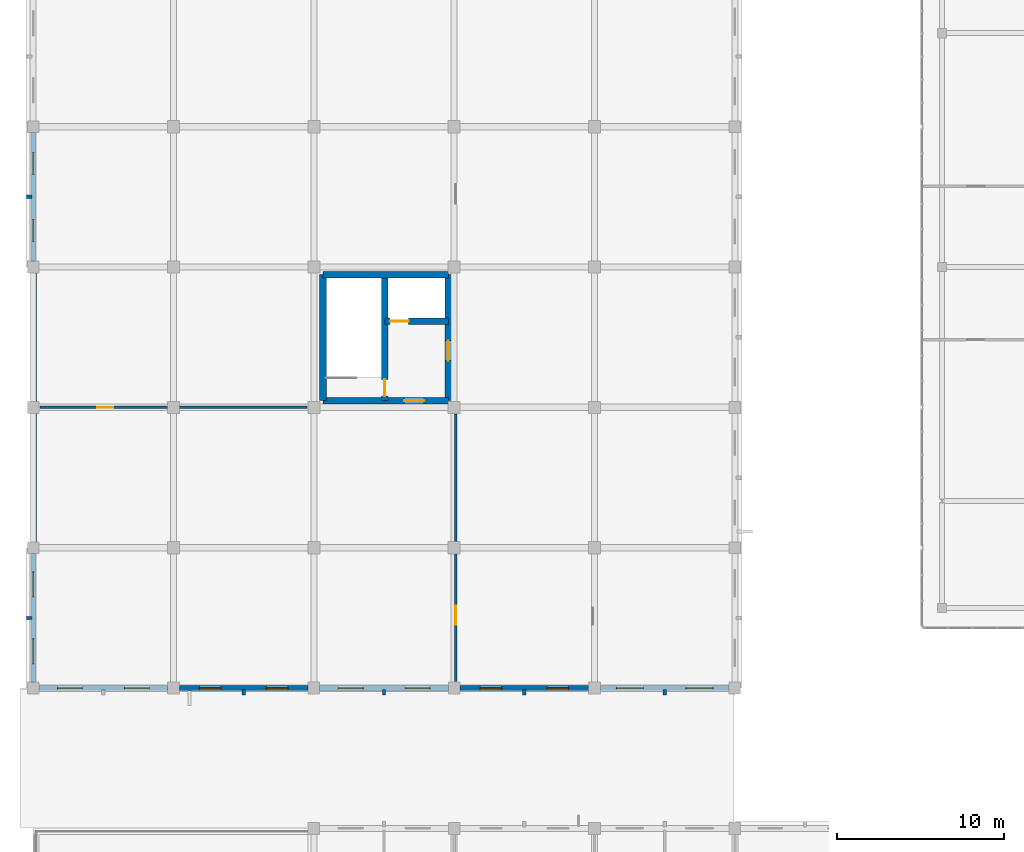
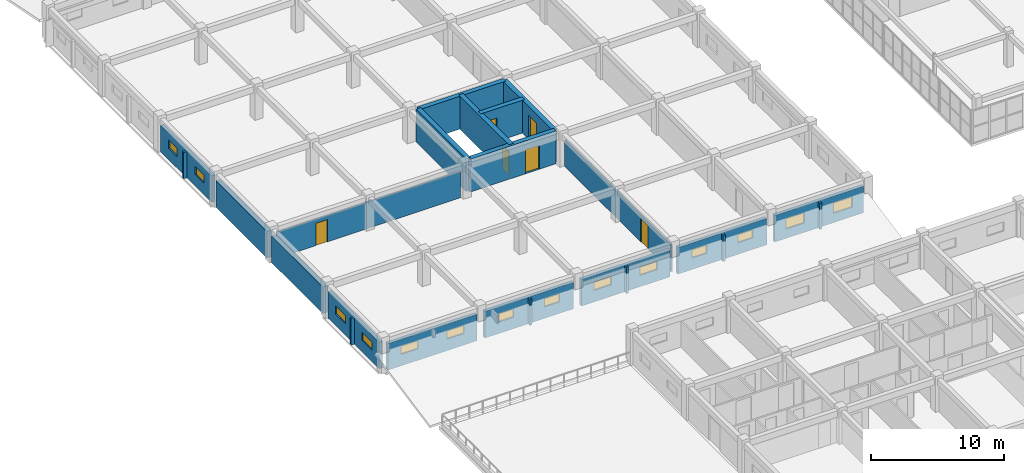
# One storey, part 113 of 148: 23 walls, 14 windows, 6 doors, 20 openings.
"""IFC4 building model written with IfcOpenShell, lengths in metres."""

from ifc_helpers import new_model, si_unit, direction, frame, frame_2d, origin, place, context, subcontext, project, spatial, rectangle, extrude, material, layer, layer_set, type_object, element, fill, save


model = new_model("IFC4")

# Units and contexts
model_context = context("Model", 3, precision=1e-05, world=origin(), true_north=direction((0.0, 1.0)))
body_context = subcontext(model_context, "Body", "Model", "MODEL_VIEW")
ifc_project = project(units=[si_unit("LENGTHUNIT", "METRE"), si_unit("AREAUNIT", "SQUARE_METRE"), si_unit("VOLUMEUNIT", "CUBIC_METRE"), si_unit("PLANEANGLEUNIT", "RADIAN"), si_unit("MASSUNIT", "GRAM", prefix="KILO")], contexts=[model_context])

# Site, building, storey
site_placement = place(None, origin())
site = spatial("IfcSite", under=ifc_project, at=site_placement, CompositionType="ELEMENT")
building_placement = place(site_placement, origin())
building = spatial("IfcBuilding", under=site, at=building_placement, Name="Trelvath General Hospital", CompositionType="ELEMENT")
storey_placement = place(building_placement, frame((0.0, 0.0, 12.89990234375)))
storey = spatial("IfcBuildingStorey", under=building, at=storey_placement, Name="L03", CompositionType="ELEMENT", Elevation=12.89990234375)

# Walls
ifc_material_1 = material(Name="Precast concrete C40/50", Category="concrete")
ifc_layer_1 = layer(ifc_material_1, 0.199951171875)
ifc_layer_set_1 = layer_set([ifc_layer_1], Name="Precast concrete C40/50")
wall_type_1 = type_object("IfcWallType", Name="BriseSoleilRib 200", PredefinedType="ELEMENTEDWALL", material=ifc_layer_set_1)
for number, where, z_axis, x_axis, name in (
    (1, (-0.074951171875, 37.800048828125, 0.0), (0.0, 0.0, 1.0), (-1.0, 0.0, 0.0), "Precast Concrete Brise-Soleil Rib Fin L03-227"),
    (2, (-0.074951171875, 63.0, 0.0), (0.0, 0.0, 1.0), (-1.0, 0.0, 0.0), "Precast Concrete Brise-Soleil Rib Fin L03-228"),
):
    element("IfcWall", number, at=place(storey_placement, frame(where, z_axis=z_axis, x_axis=x_axis)), inside=storey, type_object=wall_type_1, Name=name, PredefinedType="ELEMENTEDWALL", context=body_context, shape_type="SweptSolid", body=[
        extrude(rectangle(XDim=0.340087890625, YDim=0.199951171875, at=frame_2d((0.169921875, 0.0))), origin(), (0.0, 0.0, 1.0), 2.420166015625),
    ])
for number, where, z_axis, x_axis, name in (
    (3, (12.60009765625, 33.52490234375, 0.0), (0.0, 0.0, 1.0), (0.0, -1.0, 0.0), "Precast Concrete Brise-Soleil Rib Fin L03-232"),
    (4, (21.0, 33.52490234375, 0.0), (0.0, 0.0, 1.0), (0.0, -1.0, 0.0), "Precast Concrete Brise-Soleil Rib Fin L03-236"),
    (5, (29.39990234375, 33.52490234375, 0.0), (0.0, 0.0, 1.0), (0.0, -1.0, 0.0), "Precast Concrete Brise-Soleil Rib Fin L03-242"),
    (6, (37.800048828125, 33.52490234375, 0.0), (0.0, 0.0, 1.0), (0.0, -1.0, 0.0), "Precast Concrete Brise-Soleil Rib Fin L03-248"),
):
    element("IfcWall", number, at=place(storey_placement, frame(where, z_axis=z_axis, x_axis=x_axis)), inside=storey, type_object=wall_type_1, Name=name, PredefinedType="ELEMENTEDWALL", context=body_context, shape_type="SweptSolid", body=[
        extrude(rectangle(XDim=0.33984375, YDim=0.199951171875, at=frame_2d((0.169921875, 0.0))), origin(), (0.0, 0.0, 1.0), 2.420166015625),
    ])

# Wall, opening, door
ifc_material_2 = material(Name="Gypsum acoustic steel-stud partition", Category="steel")
ifc_layer_2 = layer(ifc_material_2, 0.14990234375)
ifc_layer_set_2 = layer_set([ifc_layer_2], Name="Gypsum acoustic steel-stud partition")
wall_type_2 = type_object("IfcWallType", Name="ClinicalPartition 150", PredefinedType="PARTITIONING", material=ifc_layer_set_2)
wall_1_placement = place(storey_placement, frame((25.300048828125, 34.0, 0.0), z_axis=(0.0, 0.0, 1.0), x_axis=(0.0, 1.0, 0.0)))
wall_1 = element("IfcWall", 7, at=wall_1_placement, inside=storey, type_object=wall_type_2, Name="HEPA Plant Partition L03-1398", PredefinedType="PARTITIONING", context=body_context, shape_type="SweptSolid", body=[
    extrude(rectangle(XDim=16.0, YDim=0.14990234375, at=frame_2d((8.0, 0.0))), origin(), (0.0, 0.0, 1.0), 2.420166015625),
])
opening_1_placement = place(wall_1_placement, frame((3.39990234375, 0.0, 0.0)))
opening_1 = element("IfcOpeningElement", 8, at=opening_1_placement, cuts=wall_1, Name="Opening D-3-0983", PredefinedType="OPENING", context=body_context, shape_type="SweptSolid", body=[
    extrude(rectangle(XDim=1.1201171875, YDim=2.14990234375, at=frame_2d((0.56005859375, 1.074951171875))), frame((0.0, 0.0849609375, 0.0), z_axis=(0.0, -1.0, 0.0), x_axis=(1.0, 0.0, 0.0)), (0.0, 0.0, 1.0), 0.169921875),
])
ifc_material_3 = material(Name="Acoustic hospital timber leaf", Category="wood")
door_type_1 = type_object("IfcDoorType", Name="Door SoiledUtil 1120x2150", OperationType="NOTDEFINED", PredefinedType="DOOR", material=ifc_material_3)
door_1_placement = place(opening_1_placement, origin())
door_1 = element("IfcDoor", 9, at=door_1_placement, inside=storey, type_object=door_type_1, Name="HEPA Plant Door L03-983", OperationType="SINGLE_SWING_LEFT", OverallHeight=2.14990234375, OverallWidth=1.1201171875, PredefinedType="DOOR", context=body_context, shape_type="SweptSolid", body=[
    extrude(rectangle(XDim=1.1201171875, YDim=2.14990234375, at=frame_2d((0.56005859375, 1.074951171875))), frame((0.0, 0.02490234375, 0.0), z_axis=(0.0, -1.0, 0.0), x_axis=(1.0, 0.0, 0.0)), (0.0, 0.0, 1.0), 0.050048828125),
])
fill(opening_1, door_1)

wall_2_placement = place(storey_placement, frame((0.419921875, 50.39990234375, 0.0), z_axis=(0.0, 0.0, 1.0), x_axis=(1.0, 0.0, 0.0)))
wall_2 = element("IfcWall", 10, at=wall_2_placement, inside=storey, type_object=wall_type_2, Name="Plenum Room Partition L03-1399", PredefinedType="PARTITIONING", context=body_context, shape_type="SweptSolid", body=[
    extrude(rectangle(XDim=15.9599609375, YDim=0.14990234375, at=frame_2d((7.97998046875, 0.0))), origin(), (0.0, 0.0, 1.0), 2.420166015625),
])
opening_2_placement = place(wall_2_placement, frame((3.39990234375, 0.0, 0.0)))
opening_2 = element("IfcOpeningElement", 11, at=opening_2_placement, cuts=wall_2, Name="Opening D-3-0984", PredefinedType="OPENING", context=body_context, shape_type="SweptSolid", body=[
    extrude(rectangle(XDim=0.97998046875, YDim=2.050048828125, at=frame_2d((0.489990234375, 1.02490234375))), frame((0.0, 0.0849609375, 0.0), z_axis=(0.0, -1.0, 0.0), x_axis=(1.0, 0.0, 0.0)), (0.0, 0.0, 1.0), 0.169921875),
])
ifc_material_4 = material(Name="Fire-rated steel service door", Category="steel")
door_type_2 = type_object("IfcDoorType", Name="Door Interstitial 980x2050", OperationType="NOTDEFINED", PredefinedType="DOOR", material=ifc_material_4)
door_2_placement = place(opening_2_placement, origin())
door_2 = element("IfcDoor", 12, at=door_2_placement, inside=storey, type_object=door_type_2, Name="Plenum Room Door L03-984", OperationType="SINGLE_SWING_RIGHT", OverallHeight=2.050048828125, OverallWidth=0.97998046875, PredefinedType="DOOR", context=body_context, shape_type="SweptSolid", body=[
    extrude(rectangle(XDim=0.97998046875, YDim=2.050048828125, at=frame_2d((0.489990234375, 1.02490234375))), frame((0.0, 0.02490234375, 0.0), z_axis=(0.0, -1.0, 0.0), x_axis=(1.0, 0.0, 0.0)), (0.0, 0.0, 1.0), 0.050048828125),
])
fill(opening_2, door_2)

ifc_material_5 = material(Name="Concrete C40/50", Category="concrete")
ifc_layer_3 = layer(ifc_material_5, 0.39990234375)
ifc_layer_set_3 = layer_set([ifc_layer_3], Name="Concrete C40/50")
wall_type_3 = type_object("IfcWallType", Name="CoreShearWall 400", PredefinedType="SHEAR", material=ifc_layer_set_3)
wall_3_placement = place(storey_placement, frame((17.35009765625, 50.800048828125, 0.0), z_axis=(0.0, 0.0, 1.0), x_axis=(1.0, 0.0, 0.0)))
wall_3 = element("IfcWall", 13, at=wall_3_placement, inside=storey, type_object=wall_type_3, Name="Core Shear Wall C8 S L03", PredefinedType="SHEAR", context=body_context, shape_type="SweptSolid", body=[
    extrude(rectangle(XDim=7.5, YDim=0.39990234375, at=frame_2d((3.75, 0.0))), origin(), (0.0, 0.0, 1.0), 3.02001953125),
])
opening_3_placement = place(wall_3_placement, frame((4.85009765625, 0.0, 0.0)))
opening_3 = element("IfcOpeningElement", 14, at=opening_3_placement, cuts=wall_3, Name="Opening FD-LS83", PredefinedType="OPENING", context=body_context, shape_type="SweptSolid", body=[
    extrude(rectangle(XDim=1.199951171875, YDim=2.199951171875, at=frame_2d((0.60009765625, 1.10009765625))), frame((0.0, 0.2099609375, 0.0), z_axis=(0.0, -1.0, 0.0), x_axis=(1.0, 0.0, 0.0)), (0.0, 0.0, 1.0), 0.419921875),
])
ifc_material_6 = material(Name="Fire-rated steel door", Category="steel")
door_type_3 = type_object("IfcDoorType", Name="Door FireLobby 1200x2200", OperationType="NOTDEFINED", PredefinedType="DOOR", material=ifc_material_6)
door_3_placement = place(opening_3_placement, origin())
door_3 = element("IfcDoor", 15, at=door_3_placement, inside=storey, type_object=door_type_3, Name="Fire Lobby South Concourse Door C8 L03", OperationType="SINGLE_SWING_RIGHT", OverallHeight=2.199951171875, OverallWidth=1.199951171875, PredefinedType="DOOR", context=body_context, shape_type="SweptSolid", body=[
    extrude(rectangle(XDim=1.199951171875, YDim=2.199951171875, at=frame_2d((0.60009765625, 1.10009765625))), frame((0.0, 0.02490234375, 0.0), z_axis=(0.0, -1.0, 0.0), x_axis=(1.0, 0.0, 0.0)), (0.0, 0.0, 1.0), 0.050048828125),
])
fill(opening_3, door_3)

# Walls
wall_4_placement = place(storey_placement, frame((17.35009765625, 58.35009765625, 0.0), z_axis=(0.0, 0.0, 1.0), x_axis=(1.0, 0.0, 0.0)))
element("IfcWall", 16, at=wall_4_placement, inside=storey, type_object=wall_type_3, Name="Core Shear Wall C8 N L03", PredefinedType="SHEAR", context=body_context, shape_type="SweptSolid", body=[
    extrude(rectangle(XDim=7.5, YDim=0.39990234375, at=frame_2d((3.75, 0.0))), origin(), (0.0, 0.0, 1.0), 3.02001953125),
])
wall_5_placement = place(storey_placement, frame((17.35009765625, 50.800048828125, 0.0), z_axis=(0.0, 0.0, 1.0), x_axis=(0.0, 1.0, 0.0)))
element("IfcWall", 17, at=wall_5_placement, inside=storey, type_object=wall_type_3, Name="Core Shear Wall C8 W L03", PredefinedType="SHEAR", context=body_context, shape_type="SweptSolid", body=[
    extrude(rectangle(XDim=7.550048828125, YDim=0.39990234375, at=frame_2d((3.77490234375, 0.0))), origin(), (0.0, 0.0, 1.0), 3.02001953125),
])

# Wall, opening, door
wall_6_placement = place(storey_placement, frame((24.85009765625, 50.800048828125, 0.0), z_axis=(0.0, 0.0, 1.0), x_axis=(0.0, 1.0, 0.0)))
wall_6 = element("IfcWall", 18, at=wall_6_placement, inside=storey, type_object=wall_type_3, Name="Core Shear Wall C8 E L03", PredefinedType="SHEAR", context=body_context, shape_type="SweptSolid", body=[
    extrude(rectangle(XDim=7.550048828125, YDim=0.39990234375, at=frame_2d((3.77490234375, 0.0))), origin(), (0.0, 0.0, 1.0), 3.02001953125),
])
opening_4_placement = place(wall_6_placement, frame((2.39990234375, 0.0, 0.0)))
opening_4 = element("IfcOpeningElement", 19, at=opening_4_placement, cuts=wall_6, Name="Opening FD-LE83", PredefinedType="OPENING", context=body_context, shape_type="SweptSolid", body=[
    extrude(rectangle(XDim=1.199951171875, YDim=2.199951171875, at=frame_2d((0.60009765625, 1.10009765625))), frame((0.0, 0.2099609375, 0.0), z_axis=(0.0, -1.0, 0.0), x_axis=(1.0, 0.0, 0.0)), (0.0, 0.0, 1.0), 0.419921875),
])
door_4_placement = place(opening_4_placement, origin())
door_4 = element("IfcDoor", 20, at=door_4_placement, inside=storey, type_object=door_type_3, Name="Fire Lobby East Corridor Door C8 L03", OperationType="SINGLE_SWING_LEFT", OverallHeight=2.199951171875, OverallWidth=1.199951171875, PredefinedType="DOOR", context=body_context, shape_type="SweptSolid", body=[
    extrude(rectangle(XDim=1.199951171875, YDim=2.199951171875, at=frame_2d((0.60009765625, 1.10009765625))), frame((0.0, 0.02490234375, 0.0), z_axis=(0.0, -1.0, 0.0), x_axis=(1.0, 0.0, 0.0)), (0.0, 0.0, 1.0), 0.050048828125),
])
fill(opening_4, door_4)

wall_7_placement = place(storey_placement, frame((21.050048828125, 50.800048828125, 0.0), z_axis=(0.0, 0.0, 1.0), x_axis=(0.0, 1.0, 0.0)))
wall_7 = element("IfcWall", 21, at=wall_7_placement, inside=storey, type_object=wall_type_3, Name="Core Shear Wall C8 SPINE L03", PredefinedType="SHEAR", context=body_context, shape_type="SweptSolid", body=[
    extrude(rectangle(XDim=7.550048828125, YDim=0.39990234375, at=frame_2d((3.77490234375, 0.0))), origin(), (0.0, 0.0, 1.0), 3.02001953125),
])
opening_5_placement = place(wall_7_placement, frame((0.280029296875, 0.0, 0.0)))
opening_5 = element("IfcOpeningElement", 22, at=opening_5_placement, cuts=wall_7, Name="Opening FD-S83", PredefinedType="OPENING", context=body_context, shape_type="SweptSolid", body=[
    extrude(rectangle(XDim=1.0, YDim=2.14990234375, at=frame_2d((0.5, 1.074951171875))), frame((0.0, 0.2099609375, 0.0), z_axis=(0.0, -1.0, 0.0), x_axis=(1.0, 0.0, 0.0)), (0.0, 0.0, 1.0), 0.419921875),
])
ifc_material_7 = material(Name="Fire-rated steel door", Category="steel")
door_type_4 = type_object("IfcDoorType", Name="Door FireStair 1100x2150", OperationType="NOTDEFINED", PredefinedType="DOOR", material=ifc_material_7)
door_5_placement = place(opening_5_placement, origin())
door_5 = element("IfcDoor", 23, at=door_5_placement, inside=storey, type_object=door_type_4, Name="Exit Stair Door ST8 L03", OperationType="SINGLE_SWING_LEFT", OverallHeight=2.14990234375, OverallWidth=1.0, PredefinedType="DOOR", context=body_context, shape_type="SweptSolid", body=[
    extrude(rectangle(XDim=1.0, YDim=2.14990234375, at=frame_2d((0.5, 1.074951171875))), frame((0.0, 0.02490234375, 0.0), z_axis=(0.0, -1.0, 0.0), x_axis=(1.0, 0.0, 0.0)), (0.0, 0.0, 1.0), 0.050048828125),
])
fill(opening_5, door_5)

wall_8_placement = place(storey_placement, frame((21.050048828125, 55.550048828125, 0.0), z_axis=(0.0, 0.0, 1.0), x_axis=(1.0, 0.0, 0.0)))
wall_8 = element("IfcWall", 24, at=wall_8_placement, inside=storey, type_object=wall_type_3, Name="Core Shear Wall C8 SHAFT L03", PredefinedType="SHEAR", context=body_context, shape_type="SweptSolid", body=[
    extrude(rectangle(XDim=3.800048828125, YDim=0.39990234375, at=frame_2d((1.89990234375, 0.0))), origin(), (0.0, 0.0, 1.0), 3.02001953125),
])
opening_6_placement = place(wall_8_placement, frame((0.320068359375, 0.0, 0.0)))
opening_6 = element("IfcOpeningElement", 25, at=opening_6_placement, cuts=wall_8, Name="Opening LD-SL1-3", PredefinedType="OPENING", context=body_context, shape_type="SweptSolid", body=[
    extrude(rectangle(XDim=1.10009765625, YDim=2.14990234375, at=frame_2d((0.550048828125, 1.074951171875))), frame((0.0, 0.2099609375, 0.0), z_axis=(0.0, -1.0, 0.0), x_axis=(1.0, 0.0, 0.0)), (0.0, 0.0, 1.0), 0.419921875),
])
ifc_material_8 = material(Name="Stainless steel lift landing sliding door", Category="steel")
door_type_5 = type_object("IfcDoorType", Name="Door LiftLanding 1100x2150", OperationType="SLIDING_TO_LEFT", PredefinedType="DOOR", material=ifc_material_8)
door_6_placement = place(opening_6_placement, origin())
door_6 = element("IfcDoor", 26, at=door_6_placement, inside=storey, type_object=door_type_5, Name="Lift Landing Sliding Door LF-SL1 L03", OperationType="SLIDING_TO_LEFT", OverallHeight=2.14990234375, OverallWidth=1.10009765625, PredefinedType="DOOR", context=body_context, shape_type="SweptSolid", body=[
    extrude(rectangle(XDim=1.10009765625, YDim=2.14990234375, at=frame_2d((0.550048828125, 1.074951171875))), frame((0.0, 0.02490234375, 0.0), z_axis=(0.0, -1.0, 0.0), x_axis=(1.0, 0.0, 0.0)), (0.0, 0.0, 1.0), 0.050048828125),
])
fill(opening_6, door_6)

# Wall, openings, windows
ifc_material_9 = material(Name="Concrete C35/45", Category="concrete")
ifc_layer_4 = layer(ifc_material_9, 0.2900390625)
ifc_layer_set_4 = layer_set([ifc_layer_4], Name="Concrete C35/45")
wall_type_4 = type_object("IfcWallType", Name="ExtBushHammeredWall 290", PredefinedType="SOLIDWALL", material=ifc_layer_set_4)
wall_9_placement = place(storey_placement, frame((8.054931640625, 33.60009765625, 0.0), z_axis=(0.0, 0.0, 1.0), x_axis=(-1.0, 0.0, 0.0)))
wall_9 = element("IfcWall", 27, at=wall_9_placement, inside=storey, type_object=wall_type_4, Name="Exterior Concrete Wall L03-326", PredefinedType="SOLIDWALL", context=body_context, shape_type="SweptSolid", body=[
    extrude(rectangle(XDim=7.7099609375, YDim=0.2900390625, at=frame_2d((3.85498046875, 0.0))), origin(), (0.0, 0.0, 1.0), 2.440185546875),
])
opening_7_placement = place(wall_9_placement, frame((1.100341796875, 0.0, 1.050048828125)))
opening_7 = element("IfcOpeningElement", 28, at=opening_7_placement, cuts=wall_9, Name="Opening WN-3-529", PredefinedType="OPENING", context=body_context, shape_type="SweptSolid", body=[
    extrude(rectangle(XDim=1.5, YDim=0.75, at=frame_2d((0.75, 0.375))), frame((0.0, 0.155029296875, 0.0), z_axis=(0.0, -1.0, 0.0), x_axis=(1.0, 0.0, 0.0)), (0.0, 0.0, 1.0), 0.31005859375),
])
opening_8_placement = place(wall_9_placement, frame((5.109619140625, 0.0, 1.050048828125)))
opening_8 = element("IfcOpeningElement", 29, at=opening_8_placement, cuts=wall_9, Name="Opening WN-3-530", PredefinedType="OPENING", context=body_context, shape_type="SweptSolid", body=[
    extrude(rectangle(XDim=1.5, YDim=0.75, at=frame_2d((0.75, 0.375))), frame((0.0, 0.155029296875, 0.0), z_axis=(0.0, -1.0, 0.0), x_axis=(1.0, 0.0, 0.0)), (0.0, 0.0, 1.0), 0.31005859375),
])
ifc_material_10 = material(Name="Low-E laminated glass", Category="glass")
window_type_1 = type_object("IfcWindowType", Name="Window InterstitialVent 1500x750", PartitioningType="DOUBLE_PANEL_HORIZONTAL", PredefinedType="WINDOW", material=ifc_material_10)
window_1_placement = place(opening_7_placement, origin())
window_1 = element("IfcWindow", 30, at=window_1_placement, inside=storey, type_object=window_type_1, Name="Solar Reveal Window L03-529", OverallHeight=0.75, OverallWidth=1.5, PartitioningType="SINGLE_PANEL", PredefinedType="WINDOW", context=body_context, shape_type="SweptSolid", body=[
    extrude(rectangle(XDim=1.5, YDim=0.75, at=frame_2d((0.75, 0.375))), frame((0.0, 0.030029296875, 0.0), z_axis=(0.0, -1.0, 0.0), x_axis=(1.0, 0.0, 0.0)), (0.0, 0.0, 1.0), 0.06005859375),
])
fill(opening_7, window_1)
window_2_placement = place(opening_8_placement, origin())
window_2 = element("IfcWindow", 31, at=window_2_placement, inside=storey, type_object=window_type_1, Name="Solar Reveal Window L03-530", OverallHeight=0.75, OverallWidth=1.5, PartitioningType="SINGLE_PANEL", PredefinedType="WINDOW", context=body_context, shape_type="SweptSolid", body=[
    extrude(rectangle(XDim=1.5, YDim=0.75, at=frame_2d((0.75, 0.375))), frame((0.0, 0.030029296875, 0.0), z_axis=(0.0, -1.0, 0.0), x_axis=(1.0, 0.0, 0.0)), (0.0, 0.0, 1.0), 0.06005859375),
])
fill(opening_8, window_2)

wall_10_placement = place(storey_placement, frame((0.0, 33.945068359375, 0.0), z_axis=(0.0, 0.0, 1.0), x_axis=(0.0, 1.0, 0.0)))
wall_10 = element("IfcWall", 32, at=wall_10_placement, inside=storey, type_object=wall_type_4, Name="Exterior Concrete Wall L03-327", PredefinedType="SOLIDWALL", context=body_context, shape_type="SweptSolid", body=[
    extrude(rectangle(XDim=7.7099609375, YDim=0.2900390625, at=frame_2d((3.85498046875, 0.0))), origin(), (0.0, 0.0, 1.0), 2.440185546875),
])
opening_9_placement = place(wall_10_placement, frame((1.100341796875, 0.0, 1.050048828125)))
opening_9 = element("IfcOpeningElement", 33, at=opening_9_placement, cuts=wall_10, Name="Opening WN-3-531", PredefinedType="OPENING", context=body_context, shape_type="SweptSolid", body=[
    extrude(rectangle(XDim=1.5, YDim=0.75, at=frame_2d((0.75, 0.375))), frame((0.0, 0.155029296875, 0.0), z_axis=(0.0, -1.0, 0.0), x_axis=(1.0, 0.0, 0.0)), (0.0, 0.0, 1.0), 0.31005859375),
])
opening_10_placement = place(wall_10_placement, frame((5.109619140625, 0.0, 1.050048828125)))
opening_10 = element("IfcOpeningElement", 34, at=opening_10_placement, cuts=wall_10, Name="Opening WN-3-532", PredefinedType="OPENING", context=body_context, shape_type="SweptSolid", body=[
    extrude(rectangle(XDim=1.5, YDim=0.75, at=frame_2d((0.75, 0.375))), frame((0.0, 0.155029296875, 0.0), z_axis=(0.0, -1.0, 0.0), x_axis=(1.0, 0.0, 0.0)), (0.0, 0.0, 1.0), 0.31005859375),
])
window_3_placement = place(opening_9_placement, origin())
window_3 = element("IfcWindow", 35, at=window_3_placement, inside=storey, type_object=window_type_1, Name="Solar Reveal Window L03-531", OverallHeight=0.75, OverallWidth=1.5, PartitioningType="SINGLE_PANEL", PredefinedType="WINDOW", context=body_context, shape_type="SweptSolid", body=[
    extrude(rectangle(XDim=1.5, YDim=0.75, at=frame_2d((0.75, 0.375))), frame((0.0, 0.030029296875, 0.0), z_axis=(0.0, -1.0, 0.0), x_axis=(1.0, 0.0, 0.0)), (0.0, 0.0, 1.0), 0.06005859375),
])
fill(opening_9, window_3)
window_4_placement = place(opening_10_placement, origin())
window_4 = element("IfcWindow", 36, at=window_4_placement, inside=storey, type_object=window_type_1, Name="Solar Reveal Window L03-532", OverallHeight=0.75, OverallWidth=1.5, PartitioningType="SINGLE_PANEL", PredefinedType="WINDOW", context=body_context, shape_type="SweptSolid", body=[
    extrude(rectangle(XDim=1.5, YDim=0.75, at=frame_2d((0.75, 0.375))), frame((0.0, 0.030029296875, 0.0), z_axis=(0.0, -1.0, 0.0), x_axis=(1.0, 0.0, 0.0)), (0.0, 0.0, 1.0), 0.06005859375),
])
fill(opening_10, window_4)

wall_11_placement = place(storey_placement, frame((0.0, 59.14501953125, 0.0), z_axis=(0.0, 0.0, 1.0), x_axis=(0.0, 1.0, 0.0)))
wall_11 = element("IfcWall", 37, at=wall_11_placement, inside=storey, type_object=wall_type_4, Name="Exterior Concrete Wall L03-330", PredefinedType="SOLIDWALL", context=body_context, shape_type="SweptSolid", body=[
    extrude(rectangle(XDim=7.7099609375, YDim=0.2900390625, at=frame_2d((3.85498046875, 0.0))), origin(), (0.0, 0.0, 1.0), 2.440185546875),
])
opening_11_placement = place(wall_11_placement, frame((1.200439453125, 0.0, 1.050048828125)))
opening_11 = element("IfcOpeningElement", 38, at=opening_11_placement, cuts=wall_11, Name="Opening WN-3-533", PredefinedType="OPENING", context=body_context, shape_type="SweptSolid", body=[
    extrude(rectangle(XDim=1.300048828125, YDim=0.75, at=frame_2d((0.64990234375, 0.375))), frame((0.0, 0.155029296875, 0.0), z_axis=(0.0, -1.0, 0.0), x_axis=(1.0, 0.0, 0.0)), (0.0, 0.0, 1.0), 0.31005859375),
])
opening_12_placement = place(wall_11_placement, frame((5.209716796875, 0.0, 1.050048828125)))
opening_12 = element("IfcOpeningElement", 39, at=opening_12_placement, cuts=wall_11, Name="Opening WN-3-534", PredefinedType="OPENING", context=body_context, shape_type="SweptSolid", body=[
    extrude(rectangle(XDim=1.300048828125, YDim=0.75, at=frame_2d((0.64990234375, 0.375))), frame((0.0, 0.155029296875, 0.0), z_axis=(0.0, -1.0, 0.0), x_axis=(1.0, 0.0, 0.0)), (0.0, 0.0, 1.0), 0.31005859375),
])
ifc_material_11 = material(Name="Low-E laminated glass", Category="glass")
window_type_2 = type_object("IfcWindowType", Name="Window InterstitialVent 1300x750", PartitioningType="DOUBLE_PANEL_HORIZONTAL", PredefinedType="WINDOW", material=ifc_material_11)
window_5_placement = place(opening_11_placement, origin())
window_5 = element("IfcWindow", 40, at=window_5_placement, inside=storey, type_object=window_type_2, Name="Solar Reveal Window L03-533", OverallHeight=0.75, OverallWidth=1.300048828125, PartitioningType="SINGLE_PANEL", PredefinedType="WINDOW", context=body_context, shape_type="SweptSolid", body=[
    extrude(rectangle(XDim=1.300048828125, YDim=0.75, at=frame_2d((0.64990234375, 0.375))), frame((0.0, 0.030029296875, 0.0), z_axis=(0.0, -1.0, 0.0), x_axis=(1.0, 0.0, 0.0)), (0.0, 0.0, 1.0), 0.06005859375),
])
fill(opening_11, window_5)
window_6_placement = place(opening_12_placement, origin())
window_6 = element("IfcWindow", 41, at=window_6_placement, inside=storey, type_object=window_type_2, Name="Solar Reveal Window L03-534", OverallHeight=0.75, OverallWidth=1.300048828125, PartitioningType="SINGLE_PANEL", PredefinedType="WINDOW", context=body_context, shape_type="SweptSolid", body=[
    extrude(rectangle(XDim=1.300048828125, YDim=0.75, at=frame_2d((0.64990234375, 0.375))), frame((0.0, 0.030029296875, 0.0), z_axis=(0.0, -1.0, 0.0), x_axis=(1.0, 0.0, 0.0)), (0.0, 0.0, 1.0), 0.06005859375),
])
fill(opening_12, window_6)

wall_12_placement = place(storey_placement, frame((16.455078125, 33.60009765625, 0.0), z_axis=(0.0, 0.0, 1.0), x_axis=(-1.0, 0.0, 0.0)))
wall_12 = element("IfcWall", 42, at=wall_12_placement, inside=storey, type_object=wall_type_4, Name="Exterior Concrete Wall L03-334", PredefinedType="SOLIDWALL", context=body_context, shape_type="SweptSolid", body=[
    extrude(rectangle(XDim=7.7099609375, YDim=0.2900390625, at=frame_2d((3.85498046875, 0.0))), origin(), (0.0, 0.0, 1.0), 2.440185546875),
])
opening_13_placement = place(wall_12_placement, frame((1.200439453125, 0.0, 1.050048828125)))
opening_13 = element("IfcOpeningElement", 43, at=opening_13_placement, cuts=wall_12, Name="Opening WN-3-541", PredefinedType="OPENING", context=body_context, shape_type="SweptSolid", body=[
    extrude(rectangle(XDim=1.300048828125, YDim=0.75, at=frame_2d((0.64990234375, 0.375))), frame((0.0, 0.155029296875, 0.0), z_axis=(0.0, -1.0, 0.0), x_axis=(1.0, 0.0, 0.0)), (0.0, 0.0, 1.0), 0.31005859375),
])
opening_14_placement = place(wall_12_placement, frame((5.209716796875, 0.0, 1.050048828125)))
opening_14 = element("IfcOpeningElement", 44, at=opening_14_placement, cuts=wall_12, Name="Opening WN-3-542", PredefinedType="OPENING", context=body_context, shape_type="SweptSolid", body=[
    extrude(rectangle(XDim=1.300048828125, YDim=0.75, at=frame_2d((0.64990234375, 0.375))), frame((0.0, 0.155029296875, 0.0), z_axis=(0.0, -1.0, 0.0), x_axis=(1.0, 0.0, 0.0)), (0.0, 0.0, 1.0), 0.31005859375),
])
window_7_placement = place(opening_13_placement, origin())
window_7 = element("IfcWindow", 45, at=window_7_placement, inside=storey, type_object=window_type_2, Name="Solar Reveal Window L03-541", OverallHeight=0.75, OverallWidth=1.300048828125, PartitioningType="SINGLE_PANEL", PredefinedType="WINDOW", context=body_context, shape_type="SweptSolid", body=[
    extrude(rectangle(XDim=1.300048828125, YDim=0.75, at=frame_2d((0.64990234375, 0.375))), frame((0.0, 0.030029296875, 0.0), z_axis=(0.0, -1.0, 0.0), x_axis=(1.0, 0.0, 0.0)), (0.0, 0.0, 1.0), 0.06005859375),
])
fill(opening_13, window_7)
window_8_placement = place(opening_14_placement, origin())
window_8 = element("IfcWindow", 46, at=window_8_placement, inside=storey, type_object=window_type_2, Name="Solar Reveal Window L03-542", OverallHeight=0.75, OverallWidth=1.300048828125, PartitioningType="SINGLE_PANEL", PredefinedType="WINDOW", context=body_context, shape_type="SweptSolid", body=[
    extrude(rectangle(XDim=1.300048828125, YDim=0.75, at=frame_2d((0.64990234375, 0.375))), frame((0.0, 0.030029296875, 0.0), z_axis=(0.0, -1.0, 0.0), x_axis=(1.0, 0.0, 0.0)), (0.0, 0.0, 1.0), 0.06005859375),
])
fill(opening_14, window_8)

wall_13_placement = place(storey_placement, frame((24.85498046875, 33.60009765625, 0.0), z_axis=(0.0, 0.0, 1.0), x_axis=(-1.0, 0.0, 0.0)))
wall_13 = element("IfcWall", 47, at=wall_13_placement, inside=storey, type_object=wall_type_4, Name="Exterior Concrete Wall L03-341", PredefinedType="SOLIDWALL", context=body_context, shape_type="SweptSolid", body=[
    extrude(rectangle(XDim=7.7099609375, YDim=0.2900390625, at=frame_2d((3.85498046875, 0.0))), origin(), (0.0, 0.0, 1.0), 2.440185546875),
])
opening_15_placement = place(wall_13_placement, frame((1.100341796875, 0.0, 1.050048828125)))
opening_15 = element("IfcOpeningElement", 48, at=opening_15_placement, cuts=wall_13, Name="Opening WN-3-553", PredefinedType="OPENING", context=body_context, shape_type="SweptSolid", body=[
    extrude(rectangle(XDim=1.5, YDim=0.75, at=frame_2d((0.75, 0.375))), frame((0.0, 0.155029296875, 0.0), z_axis=(0.0, -1.0, 0.0), x_axis=(1.0, 0.0, 0.0)), (0.0, 0.0, 1.0), 0.31005859375),
])
opening_16_placement = place(wall_13_placement, frame((5.109619140625, 0.0, 1.050048828125)))
opening_16 = element("IfcOpeningElement", 49, at=opening_16_placement, cuts=wall_13, Name="Opening WN-3-554", PredefinedType="OPENING", context=body_context, shape_type="SweptSolid", body=[
    extrude(rectangle(XDim=1.5, YDim=0.75, at=frame_2d((0.75, 0.375))), frame((0.0, 0.155029296875, 0.0), z_axis=(0.0, -1.0, 0.0), x_axis=(1.0, 0.0, 0.0)), (0.0, 0.0, 1.0), 0.31005859375),
])
window_9_placement = place(opening_15_placement, origin())
window_9 = element("IfcWindow", 50, at=window_9_placement, inside=storey, type_object=window_type_1, Name="Solar Reveal Window L03-553", OverallHeight=0.75, OverallWidth=1.5, PartitioningType="SINGLE_PANEL", PredefinedType="WINDOW", context=body_context, shape_type="SweptSolid", body=[
    extrude(rectangle(XDim=1.5, YDim=0.75, at=frame_2d((0.75, 0.375))), frame((0.0, 0.030029296875, 0.0), z_axis=(0.0, -1.0, 0.0), x_axis=(1.0, 0.0, 0.0)), (0.0, 0.0, 1.0), 0.06005859375),
])
fill(opening_15, window_9)
window_10_placement = place(opening_16_placement, origin())
window_10 = element("IfcWindow", 51, at=window_10_placement, inside=storey, type_object=window_type_1, Name="Solar Reveal Window L03-554", OverallHeight=0.75, OverallWidth=1.5, PartitioningType="SINGLE_PANEL", PredefinedType="WINDOW", context=body_context, shape_type="SweptSolid", body=[
    extrude(rectangle(XDim=1.5, YDim=0.75, at=frame_2d((0.75, 0.375))), frame((0.0, 0.030029296875, 0.0), z_axis=(0.0, -1.0, 0.0), x_axis=(1.0, 0.0, 0.0)), (0.0, 0.0, 1.0), 0.06005859375),
])
fill(opening_16, window_10)

wall_14_placement = place(storey_placement, frame((33.2548828125, 33.60009765625, 0.0), z_axis=(0.0, 0.0, 1.0), x_axis=(-1.0, 0.0, 0.0)))
wall_14 = element("IfcWall", 52, at=wall_14_placement, inside=storey, type_object=wall_type_4, Name="Exterior Concrete Wall L03-350", PredefinedType="SOLIDWALL", context=body_context, shape_type="SweptSolid", body=[
    extrude(rectangle(XDim=7.7099609375, YDim=0.2900390625, at=frame_2d((3.85498046875, 0.0))), origin(), (0.0, 0.0, 1.0), 2.440185546875),
])
opening_17_placement = place(wall_14_placement, frame((1.200439453125, 0.0, 1.050048828125)))
opening_17 = element("IfcOpeningElement", 53, at=opening_17_placement, cuts=wall_14, Name="Opening WN-3-569", PredefinedType="OPENING", context=body_context, shape_type="SweptSolid", body=[
    extrude(rectangle(XDim=1.300048828125, YDim=0.75, at=frame_2d((0.64990234375, 0.375))), frame((0.0, 0.155029296875, 0.0), z_axis=(0.0, -1.0, 0.0), x_axis=(1.0, 0.0, 0.0)), (0.0, 0.0, 1.0), 0.31005859375),
])
opening_18_placement = place(wall_14_placement, frame((5.209716796875, 0.0, 1.050048828125)))
opening_18 = element("IfcOpeningElement", 54, at=opening_18_placement, cuts=wall_14, Name="Opening WN-3-570", PredefinedType="OPENING", context=body_context, shape_type="SweptSolid", body=[
    extrude(rectangle(XDim=1.300048828125, YDim=0.75, at=frame_2d((0.64990234375, 0.375))), frame((0.0, 0.155029296875, 0.0), z_axis=(0.0, -1.0, 0.0), x_axis=(1.0, 0.0, 0.0)), (0.0, 0.0, 1.0), 0.31005859375),
])
window_11_placement = place(opening_17_placement, origin())
window_11 = element("IfcWindow", 55, at=window_11_placement, inside=storey, type_object=window_type_2, Name="Solar Reveal Window L03-569", OverallHeight=0.75, OverallWidth=1.300048828125, PartitioningType="SINGLE_PANEL", PredefinedType="WINDOW", context=body_context, shape_type="SweptSolid", body=[
    extrude(rectangle(XDim=1.300048828125, YDim=0.75, at=frame_2d((0.64990234375, 0.375))), frame((0.0, 0.030029296875, 0.0), z_axis=(0.0, -1.0, 0.0), x_axis=(1.0, 0.0, 0.0)), (0.0, 0.0, 1.0), 0.06005859375),
])
fill(opening_17, window_11)
window_12_placement = place(opening_18_placement, origin())
window_12 = element("IfcWindow", 56, at=window_12_placement, inside=storey, type_object=window_type_2, Name="Solar Reveal Window L03-570", OverallHeight=0.75, OverallWidth=1.300048828125, PartitioningType="SINGLE_PANEL", PredefinedType="WINDOW", context=body_context, shape_type="SweptSolid", body=[
    extrude(rectangle(XDim=1.300048828125, YDim=0.75, at=frame_2d((0.64990234375, 0.375))), frame((0.0, 0.030029296875, 0.0), z_axis=(0.0, -1.0, 0.0), x_axis=(1.0, 0.0, 0.0)), (0.0, 0.0, 1.0), 0.06005859375),
])
fill(opening_18, window_12)

wall_15_placement = place(storey_placement, frame((41.655029296875, 33.60009765625, 0.0), z_axis=(0.0, 0.0, 1.0), x_axis=(-1.0, 0.0, 0.0)))
wall_15 = element("IfcWall", 57, at=wall_15_placement, inside=storey, type_object=wall_type_4, Name="Exterior Concrete Wall L03-356", PredefinedType="SOLIDWALL", context=body_context, shape_type="SweptSolid", body=[
    extrude(rectangle(XDim=7.7099609375, YDim=0.2900390625, at=frame_2d((3.85498046875, 0.0))), origin(), (0.0, 0.0, 1.0), 2.440185546875),
])
opening_19_placement = place(wall_15_placement, frame((0.96337890625, 0.0, 0.85009765625)))
opening_19 = element("IfcOpeningElement", 58, at=opening_19_placement, cuts=wall_15, Name="Opening WN-3-581", PredefinedType="OPENING", context=body_context, shape_type="SweptSolid", body=[
    extrude(rectangle(XDim=1.6201171875, YDim=0.949951171875, at=frame_2d((0.81005859375, 0.47509765625))), frame((0.0, 0.155029296875, 0.0), z_axis=(0.0, -1.0, 0.0), x_axis=(1.0, 0.0, 0.0)), (0.0, 0.0, 1.0), 0.31005859375),
])
opening_20_placement = place(wall_15_placement, frame((5.126708984375, 0.0, 0.85009765625)))
opening_20 = element("IfcOpeningElement", 59, at=opening_20_placement, cuts=wall_15, Name="Opening WN-3-582", PredefinedType="OPENING", context=body_context, shape_type="SweptSolid", body=[
    extrude(rectangle(XDim=1.6201171875, YDim=0.949951171875, at=frame_2d((0.81005859375, 0.47509765625))), frame((0.0, 0.155029296875, 0.0), z_axis=(0.0, -1.0, 0.0), x_axis=(1.0, 0.0, 0.0)), (0.0, 0.0, 1.0), 0.31005859375),
])
ifc_material_12 = material(Name="Low-E laminated glass", Category="glass")
window_type_3 = type_object("IfcWindowType", Name="Window EmergencyClere 1620x950", PartitioningType="DOUBLE_PANEL_VERTICAL", PredefinedType="WINDOW", material=ifc_material_12)
window_13_placement = place(opening_19_placement, origin())
window_13 = element("IfcWindow", 60, at=window_13_placement, inside=storey, type_object=window_type_3, Name="Solar Reveal Window L03-581", OverallHeight=0.949951171875, OverallWidth=1.6201171875, PartitioningType="SINGLE_PANEL", PredefinedType="WINDOW", context=body_context, shape_type="SweptSolid", body=[
    extrude(rectangle(XDim=1.6201171875, YDim=0.949951171875, at=frame_2d((0.81005859375, 0.47509765625))), frame((0.0, 0.030029296875, 0.0), z_axis=(0.0, -1.0, 0.0), x_axis=(1.0, 0.0, 0.0)), (0.0, 0.0, 1.0), 0.06005859375),
])
fill(opening_19, window_13)
window_14_placement = place(opening_20_placement, origin())
window_14 = element("IfcWindow", 61, at=window_14_placement, inside=storey, type_object=window_type_3, Name="Solar Reveal Window L03-582", OverallHeight=0.949951171875, OverallWidth=1.6201171875, PartitioningType="SINGLE_PANEL", PredefinedType="WINDOW", context=body_context, shape_type="SweptSolid", body=[
    extrude(rectangle(XDim=1.6201171875, YDim=0.949951171875, at=frame_2d((0.81005859375, 0.47509765625))), frame((0.0, 0.030029296875, 0.0), z_axis=(0.0, -1.0, 0.0), x_axis=(1.0, 0.0, 0.0)), (0.0, 0.0, 1.0), 0.06005859375),
])
fill(opening_20, window_14)

# Walls
ifc_material_13 = material(Name="Concrete C35/45", Category="concrete")
ifc_layer_5 = layer(ifc_material_13, 0.3798828125)
ifc_layer_set_5 = layer_set([ifc_layer_5], Name="Concrete C35/45")
wall_type_5 = type_object("IfcWallType", Name="PartyWall Concrete380", PredefinedType="SOLIDWALL", material=ifc_layer_set_5)
for number, where, z_axis, x_axis, name in (
    (62, (0.0, 42.344970703125, 0.0), (0.0, 0.0, 1.0), (0.0, 1.0, 0.0), "West Party Concrete Wall L03-328"),
    (63, (0.0, 50.7451171875, 0.0), (0.0, 0.0, 1.0), (0.0, 1.0, 0.0), "West Party Concrete Wall L03-329"),
):
    element("IfcWall", number, at=place(storey_placement, frame(where, z_axis=z_axis, x_axis=x_axis)), inside=storey, type_object=wall_type_5, Name=name, PredefinedType="SOLIDWALL", context=body_context, shape_type="SweptSolid", body=[
        extrude(rectangle(XDim=7.7099609375, YDim=0.3798828125, at=frame_2d((3.85498046875, 0.0))), origin(), (0.0, 0.0, 1.0), 2.440185546875),
    ])

save(model, "model.ifc")
